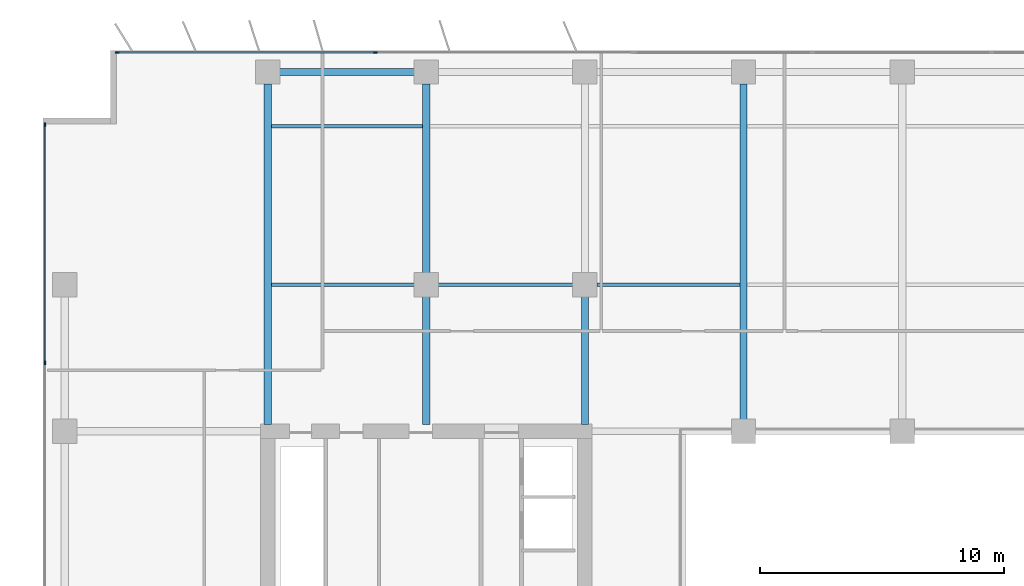
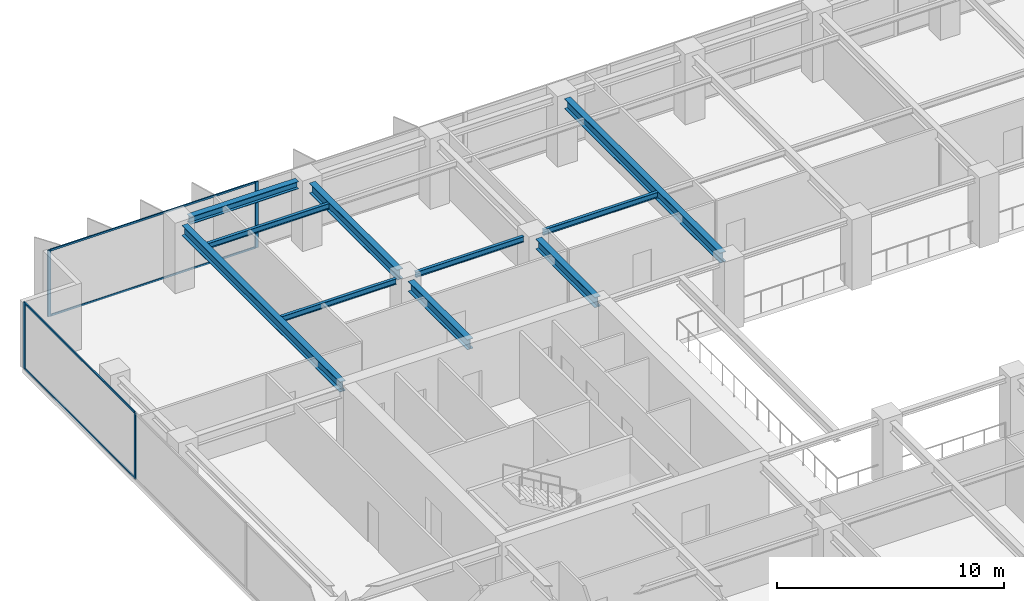
# One storey, part 8 of 22: 10 beams, 8 members, 2 elements without a shape of their own.
"""IFC4 building model written with IfcOpenShell, lengths in metres."""

from ifc_helpers import new_model, si_unit, direction, frame, origin, origin_2d, place, context, subcontext, project, spatial, rectangle, i_section, extrude, material, layer, layer_set, material_profile, profile_set, type_object, element, aggregate, save


model = new_model("IFC4")

# Units and contexts
model_context = context("Model", 3, precision=1e-05, world=origin(), true_north=direction((0.0, 1.0)))
body_context = subcontext(model_context, "Body", "Model", "MODEL_VIEW")
ifc_project = project(units=[si_unit("LENGTHUNIT", "METRE"), si_unit("AREAUNIT", "SQUARE_METRE"), si_unit("VOLUMEUNIT", "CUBIC_METRE"), si_unit("PLANEANGLEUNIT", "RADIAN"), si_unit("MASSUNIT", "GRAM", prefix="KILO")], contexts=[model_context])

# Site, building, storey
site_placement = place(None, origin())
site = spatial("IfcSite", under=ifc_project, at=site_placement, CompositionType="ELEMENT")
building_placement = place(site_placement, origin())
building = spatial("IfcBuilding", under=site, at=building_placement, Name="Putna Gate Headquarters", CompositionType="ELEMENT")
storey_placement = place(building_placement, frame((0.0, 0.0, 163.199951171875)))
storey = spatial("IfcBuildingStorey", under=building, at=storey_placement, Name="L40", CompositionType="ELEMENT", Elevation=163.199951171875)

# Beams
ifc_material_1 = material(Name="Steel S355J2", Category="steel")
ifc_material_profile_1 = material_profile(ifc_material_1, i_section(OverallWidth=0.300048828125, OverallDepth=0.550048828125, WebThickness=0.014892578125, FlangeThickness=0.029052734375, at=origin_2d()), Name="Steel S355J2")
ifc_profile_set_1 = profile_set([ifc_material_profile_1], Name="Steel S355J2")
beam_type_1 = type_object("IfcBeamType", Name="BM-GIRD-Z3-HEB550", PredefinedType="USERDEFINED", material=ifc_profile_set_1)
beam_1_placement = place(storey_placement, frame((13.0, 33.284912109375, 3.297119140625), z_axis=(0.0, 1.0, 0.0), x_axis=(-1.0, 0.0, 0.0)))
element("IfcBeam", 1, at=beam_1_placement, inside=storey, type_object=beam_type_1, Name="L40 North Primary Girder X13", ObjectType="GIRDER", PredefinedType="USERDEFINED", context=body_context, shape_type="SweptSolid", body=[
    extrude(i_section(OverallWidth=0.300048828125, OverallDepth=0.550048828125, WebThickness=0.014892578125, FlangeThickness=0.029052734375, at=origin_2d()), origin(), (0.0, 0.0, 1.0), 13.947021484375),
])
beam_2_placement = place(storey_placement, frame((19.5, 33.284912109375, 3.297119140625), z_axis=(0.0, 1.0, 0.0), x_axis=(-1.0, 0.0, 0.0)))
element("IfcBeam", 2, at=beam_2_placement, inside=storey, type_object=beam_type_1, Name="L40 North Primary Girder X19-1", ObjectType="GIRDER", PredefinedType="USERDEFINED", context=body_context, shape_type="SweptSolid", body=[
    extrude(i_section(OverallWidth=0.300048828125, OverallDepth=0.550048828125, WebThickness=0.014892578125, FlangeThickness=0.029052734375, at=origin_2d()), origin(), (0.0, 0.0, 1.0), 5.22705078125),
])
beam_3_placement = place(storey_placement, frame((19.5, 39.488037109375, 3.297119140625), z_axis=(0.0, 1.0, 0.0), x_axis=(-1.0, 0.0, 0.0)))
element("IfcBeam", 3, at=beam_3_placement, inside=storey, type_object=beam_type_1, Name="L40 North Primary Girder X19-2", ObjectType="GIRDER", PredefinedType="USERDEFINED", context=body_context, shape_type="SweptSolid", body=[
    extrude(i_section(OverallWidth=0.300048828125, OverallDepth=0.550048828125, WebThickness=0.014892578125, FlangeThickness=0.029052734375, at=origin_2d()), origin(), (0.0, 0.0, 1.0), 7.743896484375),
])
beam_4_placement = place(storey_placement, frame((26.0, 33.284912109375, 3.297119140625), z_axis=(0.0, 1.0, 0.0), x_axis=(-1.0, 0.0, 0.0)))
element("IfcBeam", 4, at=beam_4_placement, inside=storey, type_object=beam_type_1, Name="L40 North Primary Girder X26-1", ObjectType="GIRDER", PredefinedType="USERDEFINED", context=body_context, shape_type="SweptSolid", body=[
    extrude(i_section(OverallWidth=0.300048828125, OverallDepth=0.550048828125, WebThickness=0.014892578125, FlangeThickness=0.029052734375, at=origin_2d()), origin(), (0.0, 0.0, 1.0), 5.22705078125),
])
beam_5_placement = place(storey_placement, frame((32.5, 33.488037109375, 3.297119140625), z_axis=(0.0, 1.0, 0.0), x_axis=(-1.0, 0.0, 0.0)))
element("IfcBeam", 5, at=beam_5_placement, inside=storey, type_object=beam_type_1, Name="L40 North Primary Girder X32", ObjectType="GIRDER", PredefinedType="USERDEFINED", context=body_context, shape_type="SweptSolid", body=[
    extrude(i_section(OverallWidth=0.300048828125, OverallDepth=0.550048828125, WebThickness=0.014892578125, FlangeThickness=0.029052734375, at=origin_2d()), origin(), (0.0, 0.0, 1.0), 13.743896484375),
])
ifc_material_profile_2 = material_profile(ifc_material_1, i_section(OverallWidth=0.14990234375, OverallDepth=0.300048828125, WebThickness=0.007080078125, FlangeThickness=0.0107421875, at=origin_2d()), Name="Steel S355J2")
ifc_profile_set_2 = profile_set([ifc_material_profile_2], Name="Steel S355J2")
beam_type_2 = type_object("IfcBeamType", Name="BM-SEC-Z3-IPE300", PredefinedType="JOIST", material=ifc_profile_set_2)
beam_6_placement = place(storey_placement, frame((13.154052734375, 39.0, 3.422119140625), z_axis=(1.0, 0.0, 0.0), x_axis=(0.0, 1.0, 0.0)))
element("IfcBeam", 6, at=beam_6_placement, inside=storey, type_object=beam_type_2, Name="L40 North Secondary Beam 1", PredefinedType="JOIST", context=body_context, shape_type="SweptSolid", body=[
    extrude(i_section(OverallWidth=0.14990234375, OverallDepth=0.300048828125, WebThickness=0.007080078125, FlangeThickness=0.0107421875, at=origin_2d()), origin(), (0.0, 0.0, 1.0), 5.85791015625),
])
beam_7_placement = place(storey_placement, frame((13.154052734375, 45.5, 3.422119140625), z_axis=(1.0, 0.0, 0.0), x_axis=(0.0, 1.0, 0.0)))
element("IfcBeam", 7, at=beam_7_placement, inside=storey, type_object=beam_type_2, Name="L40 North Secondary Beam 1", PredefinedType="JOIST", context=body_context, shape_type="SweptSolid", body=[
    extrude(i_section(OverallWidth=0.14990234375, OverallDepth=0.300048828125, WebThickness=0.007080078125, FlangeThickness=0.0107421875, at=origin_2d()), origin(), (0.0, 0.0, 1.0), 6.19189453125),
])
beam_8_placement = place(storey_placement, frame((19.988037109375, 39.0, 3.422119140625), z_axis=(1.0, 0.0, 0.0), x_axis=(0.0, 1.0, 0.0)))
element("IfcBeam", 8, at=beam_8_placement, inside=storey, type_object=beam_type_2, Name="L40 North Secondary Beam 2", PredefinedType="JOIST", context=body_context, shape_type="SweptSolid", body=[
    extrude(i_section(OverallWidth=0.14990234375, OverallDepth=0.300048828125, WebThickness=0.007080078125, FlangeThickness=0.0107421875, at=origin_2d()), origin(), (0.0, 0.0, 1.0), 5.52392578125),
])
beam_9_placement = place(storey_placement, frame((26.488037109375, 39.0, 3.422119140625), z_axis=(1.0, 0.0, 0.0), x_axis=(0.0, 1.0, 0.0)))
element("IfcBeam", 9, at=beam_9_placement, inside=storey, type_object=beam_type_2, Name="L40 North Secondary Beam 3", PredefinedType="JOIST", context=body_context, shape_type="SweptSolid", body=[
    extrude(i_section(OverallWidth=0.14990234375, OverallDepth=0.300048828125, WebThickness=0.007080078125, FlangeThickness=0.0107421875, at=origin_2d()), origin(), (0.0, 0.0, 1.0), 5.85791015625),
])
ifc_material_profile_3 = material_profile(ifc_material_1, i_section(OverallWidth=0.300048828125, OverallDepth=0.39990234375, WebThickness=0.013427734375, FlangeThickness=0.02392578125, at=origin_2d()), Name="Steel S355J2")
ifc_profile_set_3 = profile_set([ifc_material_profile_3], Name="Steel S355J2")
beam_type_3 = type_object("IfcBeamType", Name="BM-SPAN-Z3-HEB400", PredefinedType="SPANDREL", material=ifc_profile_set_3)
beam_10_placement = place(storey_placement, frame((13.488037109375, 47.719970703125, 3.3720703125), z_axis=(1.0, 0.0, 0.0), x_axis=(0.0, 1.0, 0.0)))
element("IfcBeam", 10, at=beam_10_placement, inside=storey, type_object=beam_type_3, Name="L40 N Perimeter Spandrel 1", PredefinedType="SPANDREL", context=body_context, shape_type="SweptSolid", body=[
    extrude(i_section(OverallWidth=0.300048828125, OverallDepth=0.39990234375, WebThickness=0.013427734375, FlangeThickness=0.02392578125, at=origin_2d()), origin(), (0.0, 0.0, 1.0), 5.52392578125),
])

# Curtain wall, members
ifc_material_2 = material(Name="Anodised bronze aluminium curtain wall", Category="aluminium")
ifc_layer = layer(ifc_material_2, 0.159912109375)
ifc_layer_set = layer_set([ifc_layer], Name="Anodised bronze aluminium curtain wall")
curtain_wall_type = type_object("IfcCurtainWallType", Name="CW-SYS-Z3", PredefinedType="USERDEFINED", material=ifc_layer_set)
curtain_wall_1_placement = place(storey_placement, origin())
curtain_wall_1 = element("IfcCurtainWall", 11, at=curtain_wall_1_placement, inside=storey, type_object=curtain_wall_type, Name="L40 North West Curtain Wall", ObjectType="STICK CURTAIN WALL", PredefinedType="USERDEFINED")
ifc_material_3 = material(Name="Anodised bronze aluminium EN AW-6060", Category="aluminium")
ifc_material_profile_4 = material_profile(ifc_material_3, rectangle(XDim=0.06494140625, YDim=0.159912109375, at=origin_2d()), Name="Anodised bronze aluminium EN AW-6060")
ifc_profile_set_4 = profile_set([ifc_material_profile_4], Name="Anodised bronze aluminium EN AW-6060")
member_type_1 = type_object("IfcMemberType", Name="MULL-CWM-3", PredefinedType="MULLION", material=ifc_profile_set_4)
member_1_placement = place(storey_placement, frame((6.83251953125, 48.52001953125, 0.0), z_axis=(0.0, 0.0, 1.0), x_axis=(0.0, 1.0, 0.0)))
member_1 = element("IfcMember", 12, at=member_1_placement, type_object=member_type_1, Name="CWS-3 mullion 1", PredefinedType="MULLION", context=body_context, shape_type="SweptSolid", body=[
    extrude(rectangle(XDim=0.06494140625, YDim=0.159912109375, at=origin_2d()), origin(), (0.0, 0.0, 1.0), 3.572021484375),
])
member_2_placement = place(storey_placement, frame((17.39990234375, 48.52001953125, 0.0), z_axis=(0.0, 0.0, 1.0), x_axis=(0.0, 1.0, 0.0)))
member_2 = element("IfcMember", 13, at=member_2_placement, type_object=member_type_1, Name="CWS-3 mullion 2", PredefinedType="MULLION", context=body_context, shape_type="SweptSolid", body=[
    extrude(rectangle(XDim=0.06494140625, YDim=0.159912109375, at=origin_2d()), origin(), (0.0, 0.0, 1.0), 3.572021484375),
])

curtain_wall_2_placement = place(storey_placement, origin())
curtain_wall_2 = element("IfcCurtainWall", 14, at=curtain_wall_2_placement, inside=storey, type_object=curtain_wall_type, Name="L40 West Curtain Wall", ObjectType="STICK CURTAIN WALL", PredefinedType="USERDEFINED")
member_3_placement = place(storey_placement, frame((3.8798828125, 35.800048828125, 0.0), z_axis=(0.0, 0.0, 1.0), x_axis=(-1.0, 0.0, 0.0)))
member_3 = element("IfcMember", 15, at=member_3_placement, type_object=member_type_1, Name="CWS-3 mullion 4", PredefinedType="MULLION", context=body_context, shape_type="SweptSolid", body=[
    extrude(rectangle(XDim=0.06494140625, YDim=0.159912109375, at=origin_2d()), origin(), (0.0, 0.0, 1.0), 3.572021484375),
])
member_4_placement = place(storey_placement, frame((3.8798828125, 45.5673828125, 0.0), z_axis=(0.0, 0.0, 1.0), x_axis=(-1.0, 0.0, 0.0)))
member_4 = element("IfcMember", 16, at=member_4_placement, type_object=member_type_1, Name="CWS-3 mullion 5", PredefinedType="MULLION", context=body_context, shape_type="SweptSolid", body=[
    extrude(rectangle(XDim=0.06494140625, YDim=0.159912109375, at=origin_2d()), origin(), (0.0, 0.0, 1.0), 3.572021484375),
])

# Member
ifc_material_profile_5 = material_profile(ifc_material_3, rectangle(XDim=0.06005859375, YDim=0.10009765625, at=origin_2d()), Name="Anodised bronze aluminium EN AW-6060")
ifc_profile_set_5 = profile_set([ifc_material_profile_5], Name="Anodised bronze aluminium EN AW-6060")
member_type_2 = type_object("IfcMemberType", Name="TRAN-CWT-3", PredefinedType="USERDEFINED", material=ifc_profile_set_5)
member_5_placement = place(storey_placement, frame((6.864990234375, 48.52001953125, 0.030029296875), z_axis=(1.0, 0.0, 0.0), x_axis=(0.0, 1.0, 0.0)))
member_5 = element("IfcMember", 17, at=member_5_placement, type_object=member_type_2, Name="CWS-3 transom 1.1", ObjectType="TRANSOM", PredefinedType="USERDEFINED", context=body_context, shape_type="SweptSolid", body=[
    extrude(rectangle(XDim=0.06005859375, YDim=0.10009765625, at=origin_2d()), origin(), (0.0, 0.0, 1.0), 10.50244140625),
])

member_6_placement = place(storey_placement, frame((6.864990234375, 48.52001953125, 3.5419921875), z_axis=(1.0, 0.0, 0.0), x_axis=(0.0, 1.0, 0.0)))
member_6 = element("IfcMember", 18, at=member_6_placement, type_object=member_type_2, Name="CWS-3 transom 1.2", ObjectType="TRANSOM", PredefinedType="USERDEFINED", context=body_context, shape_type="SweptSolid", body=[
    extrude(rectangle(XDim=0.06005859375, YDim=0.10009765625, at=origin_2d()), origin(), (0.0, 0.0, 1.0), 10.50244140625),
])

aggregate(curtain_wall_1, [member_1, member_2, member_5, member_6])

member_7_placement = place(storey_placement, frame((3.8798828125, 35.83251953125, 0.030029296875), z_axis=(0.0, 1.0, 0.0), x_axis=(-1.0, 0.0, 0.0)))
member_7 = element("IfcMember", 19, at=member_7_placement, type_object=member_type_2, Name="CWS-3 transom 4.1", ObjectType="TRANSOM", PredefinedType="USERDEFINED", context=body_context, shape_type="SweptSolid", body=[
    extrude(rectangle(XDim=0.06005859375, YDim=0.10009765625, at=origin_2d()), origin(), (0.0, 0.0, 1.0), 9.702392578125),
])

member_8_placement = place(storey_placement, frame((3.8798828125, 35.83251953125, 3.5419921875), z_axis=(0.0, 1.0, 0.0), x_axis=(-1.0, 0.0, 0.0)))
member_8 = element("IfcMember", 20, at=member_8_placement, type_object=member_type_2, Name="CWS-3 transom 4.2", ObjectType="TRANSOM", PredefinedType="USERDEFINED", context=body_context, shape_type="SweptSolid", body=[
    extrude(rectangle(XDim=0.06005859375, YDim=0.10009765625, at=origin_2d()), origin(), (0.0, 0.0, 1.0), 9.702392578125),
])

aggregate(curtain_wall_2, [member_3, member_4, member_7, member_8])

save(model, "model.ifc")
